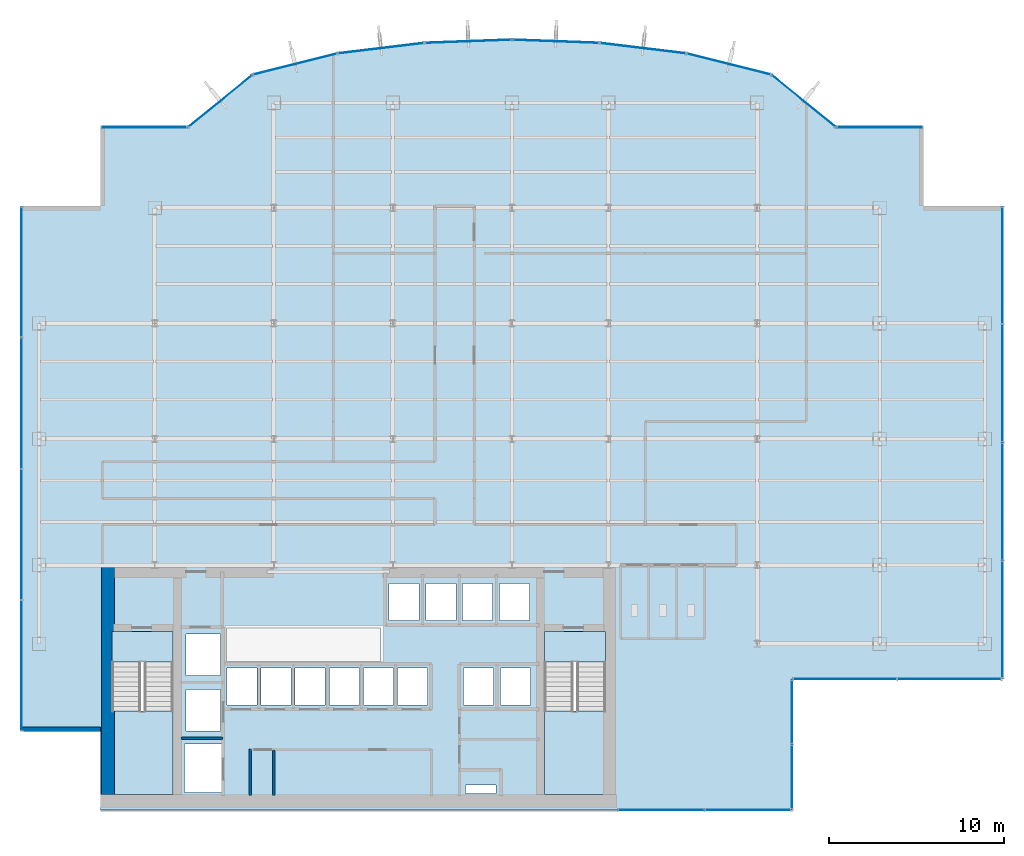
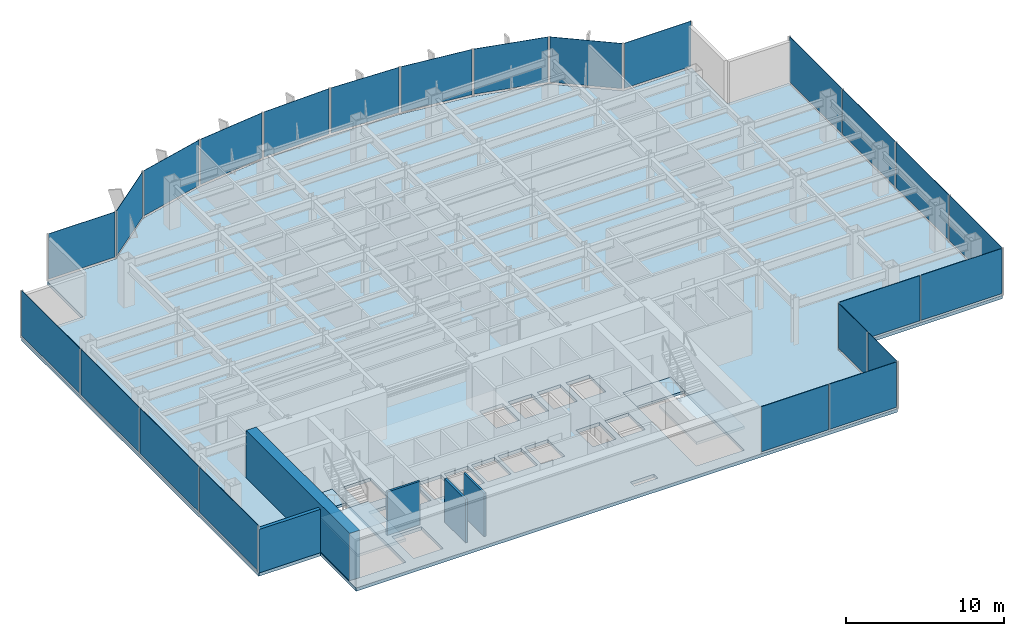
# One storey, part 20 of 26: 24 plates, 5 slabs, 5 walls, 17 elements without a shape of their own.
"""IFC4 building model written with IfcOpenShell, lengths in metres."""

from ifc_helpers import new_model, si_unit, derived_unit, direction, frame, frame_2d, origin, origin_2d, place, context, subcontext, project, spatial, polyline, rectangle, outline, extrude, source, transform, mapped, material, layer, layer_set, type_object, element, aggregate, save


model = new_model("IFC4")

# Units and contexts
model_context = context("Model", 3, precision=1e-05, world=origin(), true_north=direction((0.0, 1.0)))
body_context = subcontext(model_context, "Body", "Model", "MODEL_VIEW")
ifc_project = project(units=[si_unit("LENGTHUNIT", "METRE"), si_unit("AREAUNIT", "SQUARE_METRE"), si_unit("VOLUMEUNIT", "CUBIC_METRE"), si_unit("PLANEANGLEUNIT", "RADIAN"), si_unit("MASSUNIT", "GRAM", prefix="KILO"), derived_unit("THERMALTRANSMITTANCEUNIT", [(si_unit("POWERUNIT", "WATT"), 1), (si_unit("LENGTHUNIT", "METRE"), -2), (si_unit("THERMODYNAMICTEMPERATUREUNIT", "KELVIN"), -1)])], contexts=[model_context])

# Site, building, storey
site_placement = place(None, origin())
site = spatial("IfcSite", under=ifc_project, at=site_placement, CompositionType="ELEMENT")
building_placement = place(site_placement, origin())
building = spatial("IfcBuilding", under=site, at=building_placement, Name="Skarnbrae Concourse Arena and Tower", CompositionType="ELEMENT")
storey_placement = place(building_placement, frame((0.0, 0.0, 132.449951171875)))
storey = spatial("IfcBuildingStorey", under=building, at=storey_placement, Name="L33", CompositionType="ELEMENT", Elevation=132.449951171875)

# Stair, slab
ifc_material_1 = material(Name="Concrete 40 MPa (C40/50)", Category="concrete")
stair_type = type_object("IfcStairType", Name="STAIR-DOGLEG-1650", PredefinedType="HALF_TURN_STAIR", material=ifc_material_1)
stair_1_placement = place(storey_placement, origin())
stair_1 = element("IfcStair", 1, at=stair_1_placement, inside=storey, type_object=stair_type, Name="L33 Protected Exit Stair ST-1", PredefinedType="HALF_TURN_STAIR")
ifc_layer_1 = layer(ifc_material_1, 0.199951171875)
ifc_layer_set_1 = layer_set([ifc_layer_1], Name="Concrete 40 MPa (C40/50)")
slab_type_1 = type_object("IfcSlabType", Name="SLAB-LANDING-200", PredefinedType="LANDING", material=ifc_layer_set_1)
slab_1_placement = place(storey_placement, frame((0.0, 0.0, 1.625)))
slab_1 = element("IfcSlab", 2, at=slab_1_placement, type_object=slab_type_1, Name="ST-1 landing 1", PredefinedType="LANDING", context=body_context, shape_type="SweptSolid", body=[
    extrude(outline(polyline([(5.14990234375, 5.64990234375), (5.14990234375, 0.89990234375), (8.64990234375, 0.89990234375), (8.64990234375, 5.64990234375), (5.14990234375, 5.64990234375)])), origin(), (0.0, 0.0, 1.0), 0.199951171875),
])
aggregate(stair_1, [slab_1])

stair_2_placement = place(storey_placement, origin())
stair_2 = element("IfcStair", 3, at=stair_2_placement, inside=storey, type_object=stair_type, Name="L33 Protected Exit Stair ST-2", PredefinedType="HALF_TURN_STAIR")
slab_2_placement = place(storey_placement, frame((0.0, 0.0, 1.625)))
slab_2 = element("IfcSlab", 4, at=slab_2_placement, type_object=slab_type_1, Name="ST-2 landing 1", PredefinedType="LANDING", context=body_context, shape_type="SweptSolid", body=[
    extrude(outline(polyline([(29.85009765625, 5.64990234375), (29.85009765625, 0.89990234375), (33.35009765625, 0.89990234375), (33.35009765625, 5.64990234375), (29.85009765625, 5.64990234375)])), origin(), (0.0, 0.0, 1.0), 0.199951171875),
])
aggregate(stair_2, [slab_2])

# Slabs
slab_3_placement = place(storey_placement, frame((0.0, 0.0, -0.199951171875)))
element("IfcSlab", 5, at=slab_3_placement, inside=storey, type_object=slab_type_1, Name="L33 Core stair ST1 floor landing", PredefinedType="LANDING", context=body_context, shape_type="SweptSolid", body=[
    extrude(outline(polyline([(5.14990234375, 10.199951171875), (5.14990234375, 8.449951171875), (8.64990234375, 8.449951171875), (8.64990234375, 10.199951171875), (5.14990234375, 10.199951171875)])), origin(), (0.0, 0.0, 1.0), 0.199951171875),
])
slab_4_placement = place(storey_placement, frame((0.0, 0.0, -0.199951171875)))
element("IfcSlab", 6, at=slab_4_placement, inside=storey, type_object=slab_type_1, Name="L33 Core stair ST2 floor landing", PredefinedType="LANDING", context=body_context, shape_type="SweptSolid", body=[
    extrude(outline(polyline([(29.85009765625, 10.199951171875), (29.85009765625, 8.449951171875), (33.35009765625, 8.449951171875), (33.35009765625, 10.199951171875), (29.85009765625, 10.199951171875)])), origin(), (0.0, 0.0, 1.0), 0.199951171875),
])
ifc_layer_2 = layer(ifc_material_1, 0.25)
ifc_layer_set_2 = layer_set([ifc_layer_2], Name="Concrete 40 MPa (C40/50)")
slab_type_2 = type_object("IfcSlabType", Name="SLAB-TOWER-250", PredefinedType="FLOOR", material=ifc_layer_set_2)
slab_5_placement = place(storey_placement, frame((0.0, 0.0, -0.25)))
element("IfcSlab", 7, at=slab_5_placement, inside=storey, type_object=slab_type_2, Name="L33 Structural floor slab", PredefinedType="FLOOR", context=body_context, shape_type="SweptSolid", body=[
    extrude(outline(polyline([(4.5, 0.0), (44.0, 0.0), (44.0, 7.5), (56.0, 7.5), (56.0, 34.5), (51.5, 34.5), (51.5, 39.0), (46.5, 39.0), (42.81103515625, 41.99609375), (37.964111328125, 43.212890625), (32.998779296875, 43.81396484375), (28.0, 44.0), (23.001220703125, 43.81396484375), (18.035888671875, 43.212890625), (13.18896484375, 41.99609375), (9.5, 39.0), (4.5, 39.0), (4.5, 34.5), (0.0, 34.5), (0.0, 4.5), (4.5, 4.5), (4.5, 0.0)]), holes=[polyline([(9.294921875, 3.780029296875), (11.455078125, 3.780029296875), (11.455078125, 1.02001953125), (9.294921875, 1.02001953125), (9.294921875, 3.780029296875)]), polyline([(8.64990234375, 10.199951171875), (8.64990234375, 0.89990234375), (5.14990234375, 0.89990234375), (5.14990234375, 10.199951171875), (8.64990234375, 10.199951171875)]), polyline([(9.39501953125, 6.8798828125), (11.35498046875, 6.8798828125), (11.35498046875, 4.52001953125), (9.39501953125, 4.52001953125), (9.39501953125, 6.8798828125)]), polyline([(11.719970703125, 8.10498046875), (13.429931640625, 8.10498046875), (13.429931640625, 5.9951171875), (11.719970703125, 5.9951171875), (11.719970703125, 8.10498046875)]), polyline([(13.669921875, 8.10498046875), (15.3798828125, 8.10498046875), (15.3798828125, 5.9951171875), (13.669921875, 5.9951171875), (13.669921875, 8.10498046875)]), polyline([(15.6201171875, 8.10498046875), (17.330078125, 8.10498046875), (17.330078125, 5.9951171875), (15.6201171875, 5.9951171875), (15.6201171875, 8.10498046875)]), polyline([(17.570068359375, 8.10498046875), (19.280029296875, 8.10498046875), (19.280029296875, 5.9951171875), (17.570068359375, 5.9951171875), (17.570068359375, 8.10498046875)]), polyline([(21.22998046875, 8.10498046875), (21.22998046875, 5.9951171875), (19.52001953125, 5.9951171875), (19.52001953125, 8.10498046875), (21.22998046875, 8.10498046875)]), polyline([(11.35498046875, 10.054931640625), (11.35498046875, 7.695068359375), (9.39501953125, 7.695068359375), (9.39501953125, 10.054931640625), (11.35498046875, 10.054931640625)]), polyline([(25.35009765625, 1.449951171875), (27.080078125, 1.449951171875), (27.080078125, 0.949951171875), (25.35009765625, 0.949951171875), (25.35009765625, 1.449951171875)]), polyline([(33.35009765625, 10.199951171875), (33.35009765625, 0.89990234375), (29.85009765625, 0.89990234375), (29.85009765625, 10.199951171875), (33.35009765625, 10.199951171875)]), polyline([(21.469970703125, 8.10498046875), (23.179931640625, 8.10498046875), (23.179931640625, 5.9951171875), (21.469970703125, 5.9951171875), (21.469970703125, 8.10498046875)]), polyline([(25.235107421875, 8.10498046875), (26.945068359375, 8.10498046875), (26.945068359375, 5.9951171875), (25.235107421875, 5.9951171875), (25.235107421875, 8.10498046875)]), polyline([(27.3349609375, 8.10498046875), (29.044921875, 8.10498046875), (29.044921875, 5.9951171875), (27.3349609375, 5.9951171875), (27.3349609375, 8.10498046875)]), polyline([(20.985107421875, 12.955078125), (22.695068359375, 12.955078125), (22.695068359375, 10.844970703125), (20.985107421875, 10.844970703125), (20.985107421875, 12.955078125)]), polyline([(23.0849609375, 12.955078125), (24.794921875, 12.955078125), (24.794921875, 10.844970703125), (23.0849609375, 10.844970703125), (23.0849609375, 12.955078125)]), polyline([(26.89501953125, 12.955078125), (26.89501953125, 10.844970703125), (25.18505859375, 10.844970703125), (25.18505859375, 12.955078125), (26.89501953125, 12.955078125)]), polyline([(28.9951171875, 12.955078125), (28.9951171875, 10.844970703125), (27.284912109375, 10.844970703125), (27.284912109375, 12.955078125), (28.9951171875, 12.955078125)])]), origin(), (0.0, 0.0, 1.0), 0.25),
])

# Curtain wall, plates
ifc_material_2 = material(Name="Bronze anodised aluminium 6063-T6", Category="aluminium")
curtain_wall_type = type_object("IfcCurtainWallType", Name="CW-SYS-04-MIDZONE", PredefinedType="USERDEFINED", material=ifc_material_2)
curtain_wall_1_placement = place(storey_placement, origin())
curtain_wall_1 = element("IfcCurtainWall", 8, at=curtain_wall_1_placement, inside=storey, type_object=curtain_wall_type, Name="L33 Unitised curtain wall CW-L33-SE-SPINE", ObjectType="UNITISED CURTAIN WALL", PredefinedType="USERDEFINED")
ifc_material_3 = material(Name="Low-E triple insulating glass", Category="glass")
ifc_layer_3 = layer(ifc_material_3, 0.031982421875)
ifc_layer_set_3 = layer_set([ifc_layer_3], Name="Low-E triple insulating glass")
plate_type = type_object("IfcPlateType", Name="CWP-CW-04", PredefinedType="CURTAIN_PANEL", material=ifc_layer_set_3)
shared_shape_1 = source(origin(), body_context, "Body", "SweptSolid", [
    extrude(rectangle(XDim=4.887451171875, YDim=0.031982421875, at=origin_2d()), origin(), (0.0, 0.0, 1.0), 3.489990234375),
])
plate_1_placement = place(storey_placement, frame((36.518798828125, 0.0, 0.16015625), z_axis=(0.0, 0.0, 1.0), x_axis=(1.0, 0.0, 0.0)))
plate_1 = element("IfcPlate", 9, at=plate_1_placement, type_object=plate_type, Name="CW-L33-SE-SPINE Low-E Glazing Panel 1", PredefinedType="CURTAIN_PANEL", context=body_context, shape_type="MappedRepresentation", body=[
    mapped(shared_shape_1, transform((0.0, 0.0, 0.0))),
])
plate_2_placement = place(storey_placement, frame((41.481201171875, 0.0, 0.16015625), z_axis=(0.0, 0.0, 1.0), x_axis=(1.0, 0.0, 0.0)))
plate_2 = element("IfcPlate", 10, at=plate_2_placement, type_object=plate_type, Name="CW-L33-SE-SPINE Low-E Glazing Panel 2", PredefinedType="CURTAIN_PANEL", context=body_context, shape_type="MappedRepresentation", body=[
    mapped(shared_shape_1, transform((0.0, 0.0, 0.0))),
])
aggregate(curtain_wall_1, [plate_1, plate_2])

curtain_wall_2_placement = place(storey_placement, origin())
curtain_wall_2 = element("IfcCurtainWall", 11, at=curtain_wall_2_placement, inside=storey, type_object=curtain_wall_type, Name="L33 Unitised curtain wall CW-L33-E02", ObjectType="UNITISED CURTAIN WALL", PredefinedType="USERDEFINED")
shared_shape_2 = source(origin(), body_context, "Body", "SweptSolid", [
    extrude(rectangle(XDim=3.637451171875, YDim=0.031982421875, at=origin_2d()), origin(), (0.0, 0.0, 1.0), 3.489990234375),
])
plate_3_placement = place(storey_placement, frame((44.0, 1.893798828125, 0.16015625), z_axis=(0.0, 0.0, 1.0), x_axis=(0.0, 1.0, 0.0)))
plate_3 = element("IfcPlate", 12, at=plate_3_placement, type_object=plate_type, Name="CW-L33-E02 Low-E Glazing Panel 1", PredefinedType="CURTAIN_PANEL", context=body_context, shape_type="MappedRepresentation", body=[
    mapped(shared_shape_2, transform((0.0, 0.0, 0.0))),
])
plate_4_placement = place(storey_placement, frame((44.0, 5.606201171875, 0.16015625), z_axis=(0.0, 0.0, 1.0), x_axis=(0.0, 1.0, 0.0)))
plate_4 = element("IfcPlate", 13, at=plate_4_placement, type_object=plate_type, Name="CW-L33-E02 Low-E Glazing Panel 2", PredefinedType="CURTAIN_PANEL", context=body_context, shape_type="MappedRepresentation", body=[
    mapped(shared_shape_2, transform((0.0, 0.0, 0.0))),
])
aggregate(curtain_wall_2, [plate_3, plate_4])

curtain_wall_3_placement = place(storey_placement, origin())
curtain_wall_3 = element("IfcCurtainWall", 14, at=curtain_wall_3_placement, inside=storey, type_object=curtain_wall_type, Name="L33 Unitised curtain wall CW-L33-E03", ObjectType="UNITISED CURTAIN WALL", PredefinedType="USERDEFINED")
shared_shape_3 = source(origin(), body_context, "Body", "SweptSolid", [
    extrude(rectangle(XDim=5.887451171875, YDim=0.031982421875, at=origin_2d()), origin(), (0.0, 0.0, 1.0), 3.489990234375),
])
plate_5_placement = place(storey_placement, frame((47.018798828125, 7.5, 0.16015625), z_axis=(0.0, 0.0, 1.0), x_axis=(1.0, 0.0, 0.0)))
plate_5 = element("IfcPlate", 15, at=plate_5_placement, type_object=plate_type, Name="CW-L33-E03 Low-E Glazing Panel 1", PredefinedType="CURTAIN_PANEL", context=body_context, shape_type="MappedRepresentation", body=[
    mapped(shared_shape_3, transform((0.0, 0.0, 0.0))),
])
plate_6_placement = place(storey_placement, frame((52.981201171875, 7.5, 0.16015625), z_axis=(0.0, 0.0, 1.0), x_axis=(1.0, 0.0, 0.0)))
plate_6 = element("IfcPlate", 16, at=plate_6_placement, type_object=plate_type, Name="CW-L33-E03 Low-E Glazing Panel 2", PredefinedType="CURTAIN_PANEL", context=body_context, shape_type="MappedRepresentation", body=[
    mapped(shared_shape_3, transform((0.0, 0.0, 0.0))),
])
aggregate(curtain_wall_3, [plate_5, plate_6])

# Curtain wall, plate
curtain_wall_4_placement = place(storey_placement, origin())
curtain_wall_4 = element("IfcCurtainWall", 17, at=curtain_wall_4_placement, inside=storey, type_object=curtain_wall_type, Name="L33 Unitised curtain wall CW-L33-E07", ObjectType="UNITISED CURTAIN WALL", PredefinedType="USERDEFINED")
shared_shape_4 = source(origin(), body_context, "Body", "SweptSolid", [
    extrude(rectangle(XDim=4.85009765625, YDim=0.031982421875, at=origin_2d()), origin(), (0.0, 0.0, 1.0), 3.489990234375),
])
plate_7_placement = place(storey_placement, frame((49.0, 39.0, 0.16015625), z_axis=(0.0, 0.0, 1.0), x_axis=(-1.0, 0.0, 0.0)))
plate_7 = element("IfcPlate", 18, at=plate_7_placement, type_object=plate_type, Name="CW-L33-E07 Low-E Glazing Panel 1", PredefinedType="CURTAIN_PANEL", context=body_context, shape_type="MappedRepresentation", body=[
    mapped(shared_shape_4, transform((0.0, 0.0, 0.0))),
])
aggregate(curtain_wall_4, [plate_7])

curtain_wall_5_placement = place(storey_placement, origin())
curtain_wall_5 = element("IfcCurtainWall", 19, at=curtain_wall_5_placement, inside=storey, type_object=curtain_wall_type, Name="L33 Unitised curtain wall CW-L33-E16", ObjectType="UNITISED CURTAIN WALL", PredefinedType="USERDEFINED")
plate_8_placement = place(storey_placement, frame((7.0, 39.0, 0.16015625), z_axis=(0.0, 0.0, 1.0), x_axis=(-1.0, 0.0, 0.0)))
plate_8 = element("IfcPlate", 20, at=plate_8_placement, type_object=plate_type, Name="CW-L33-E16 Low-E Glazing Panel 1", PredefinedType="CURTAIN_PANEL", context=body_context, shape_type="MappedRepresentation", body=[
    mapped(shared_shape_4, transform((0.0, 0.0, 0.0))),
])
aggregate(curtain_wall_5, [plate_8])

curtain_wall_6_placement = place(storey_placement, origin())
curtain_wall_6 = element("IfcCurtainWall", 21, at=curtain_wall_6_placement, inside=storey, type_object=curtain_wall_type, Name="L33 Unitised curtain wall CW-L33-E08", ObjectType="UNITISED CURTAIN WALL", PredefinedType="USERDEFINED")
shared_shape_5 = source(origin(), body_context, "Body", "SweptSolid", [
    extrude(rectangle(XDim=4.602294921875, YDim=0.031982421875, at=origin_2d()), origin(), (0.0, 0.0, 1.0), 3.489990234375),
])
plate_9_placement = place(storey_placement, frame((44.655517578125, 40.498046875, 0.16015625), z_axis=(0.0, 0.0, 1.0), x_axis=(-0.776241200471, 0.630436038542, 0.0)))
plate_9 = element("IfcPlate", 22, at=plate_9_placement, type_object=plate_type, Name="CW-L33-E08 Low-E Glazing Panel 1", PredefinedType="CURTAIN_PANEL", context=body_context, shape_type="MappedRepresentation", body=[
    mapped(shared_shape_5, transform((0.0, 0.0, 0.0))),
])
aggregate(curtain_wall_6, [plate_9])

curtain_wall_7_placement = place(storey_placement, origin())
curtain_wall_7 = element("IfcCurtainWall", 23, at=curtain_wall_7_placement, inside=storey, type_object=curtain_wall_type, Name="L33 Unitised curtain wall CW-L33-E15", ObjectType="UNITISED CURTAIN WALL", PredefinedType="USERDEFINED")
plate_10_placement = place(storey_placement, frame((11.344482421875, 40.498046875, 0.16015625), z_axis=(0.0, 0.0, 1.0), x_axis=(-0.776241200471, -0.630436038542, 0.0)))
plate_10 = element("IfcPlate", 24, at=plate_10_placement, type_object=plate_type, Name="CW-L33-E15 Low-E Glazing Panel 1", PredefinedType="CURTAIN_PANEL", context=body_context, shape_type="MappedRepresentation", body=[
    mapped(shared_shape_5, transform((0.0, 0.0, 0.0))),
])
aggregate(curtain_wall_7, [plate_10])

curtain_wall_8_placement = place(storey_placement, origin())
curtain_wall_8 = element("IfcCurtainWall", 25, at=curtain_wall_8_placement, inside=storey, type_object=curtain_wall_type, Name="L33 Unitised curtain wall CW-L33-E09", ObjectType="UNITISED CURTAIN WALL", PredefinedType="USERDEFINED")
shared_shape_6 = source(origin(), body_context, "Body", "SweptSolid", [
    extrude(rectangle(XDim=4.847412109375, YDim=0.031982421875, at=origin_2d()), origin(), (0.0, 0.0, 1.0), 3.489990234375),
])
plate_11_placement = place(storey_placement, frame((40.3876953125, 42.6044921875, 0.16015625), z_axis=(0.0, 0.0, 1.0), x_axis=(-0.969903046166, 0.243491439351, 0.0)))
plate_11 = element("IfcPlate", 26, at=plate_11_placement, type_object=plate_type, Name="CW-L33-E09 Low-E Glazing Panel 1", PredefinedType="CURTAIN_PANEL", context=body_context, shape_type="MappedRepresentation", body=[
    mapped(shared_shape_6, transform((0.0, 0.0, 0.0))),
])
aggregate(curtain_wall_8, [plate_11])

curtain_wall_9_placement = place(storey_placement, origin())
curtain_wall_9 = element("IfcCurtainWall", 27, at=curtain_wall_9_placement, inside=storey, type_object=curtain_wall_type, Name="L33 Unitised curtain wall CW-L33-E14", ObjectType="UNITISED CURTAIN WALL", PredefinedType="USERDEFINED")
plate_12_placement = place(storey_placement, frame((15.6123046875, 42.6044921875, 0.16015625), z_axis=(0.0, 0.0, 1.0), x_axis=(-0.969903046166, -0.243491439351, 0.0)))
plate_12 = element("IfcPlate", 28, at=plate_12_placement, type_object=plate_type, Name="CW-L33-E14 Low-E Glazing Panel 1", PredefinedType="CURTAIN_PANEL", context=body_context, shape_type="MappedRepresentation", body=[
    mapped(shared_shape_6, transform((0.0, 0.0, 0.0))),
])
aggregate(curtain_wall_9, [plate_12])

curtain_wall_10_placement = place(storey_placement, origin())
curtain_wall_10 = element("IfcCurtainWall", 29, at=curtain_wall_10_placement, inside=storey, type_object=curtain_wall_type, Name="L33 Unitised curtain wall CW-L33-E10", ObjectType="UNITISED CURTAIN WALL", PredefinedType="USERDEFINED")
shared_shape_7 = source(origin(), body_context, "Body", "SweptSolid", [
    extrude(rectangle(XDim=4.8515625, YDim=0.031982421875, at=origin_2d()), origin(), (0.0, 0.0, 1.0), 3.489990234375),
])
plate_13_placement = place(storey_placement, frame((35.4814453125, 43.513427734375, 0.16015625), z_axis=(0.0, 0.0, 1.0), x_axis=(-0.992749371969, 0.120202680731, 0.0)))
plate_13 = element("IfcPlate", 30, at=plate_13_placement, type_object=plate_type, Name="CW-L33-E10 Low-E Glazing Panel 1", PredefinedType="CURTAIN_PANEL", context=body_context, shape_type="MappedRepresentation", body=[
    mapped(shared_shape_7, transform((0.0, 0.0, 0.0))),
])
aggregate(curtain_wall_10, [plate_13])

curtain_wall_11_placement = place(storey_placement, origin())
curtain_wall_11 = element("IfcCurtainWall", 31, at=curtain_wall_11_placement, inside=storey, type_object=curtain_wall_type, Name="L33 Unitised curtain wall CW-L33-E13", ObjectType="UNITISED CURTAIN WALL", PredefinedType="USERDEFINED")
plate_14_placement = place(storey_placement, frame((20.5185546875, 43.513427734375, 0.16015625), z_axis=(0.0, 0.0, 1.0), x_axis=(-0.992749371969, -0.120202680731, 0.0)))
plate_14 = element("IfcPlate", 32, at=plate_14_placement, type_object=plate_type, Name="CW-L33-E13 Low-E Glazing Panel 1", PredefinedType="CURTAIN_PANEL", context=body_context, shape_type="MappedRepresentation", body=[
    mapped(shared_shape_7, transform((0.0, 0.0, 0.0))),
])
aggregate(curtain_wall_11, [plate_14])

curtain_wall_12_placement = place(storey_placement, origin())
curtain_wall_12 = element("IfcCurtainWall", 33, at=curtain_wall_12_placement, inside=storey, type_object=curtain_wall_type, Name="L33 Unitised curtain wall CW-L33-E11", ObjectType="UNITISED CURTAIN WALL", PredefinedType="USERDEFINED")
shared_shape_8 = source(origin(), body_context, "Body", "SweptSolid", [
    extrude(rectangle(XDim=4.852294921875, YDim=0.031982421875, at=origin_2d()), origin(), (0.0, 0.0, 1.0), 3.489990234375),
])
plate_15_placement = place(storey_placement, frame((30.49951171875, 43.906982421875, 0.16015625), z_axis=(0.0, 0.0, 1.0), x_axis=(-0.999308486252, 0.037182647889, 0.0)))
plate_15 = element("IfcPlate", 34, at=plate_15_placement, type_object=plate_type, Name="CW-L33-E11 Low-E Glazing Panel 1", PredefinedType="CURTAIN_PANEL", context=body_context, shape_type="MappedRepresentation", body=[
    mapped(shared_shape_8, transform((0.0, 0.0, 0.0))),
])
aggregate(curtain_wall_12, [plate_15])

curtain_wall_13_placement = place(storey_placement, origin())
curtain_wall_13 = element("IfcCurtainWall", 35, at=curtain_wall_13_placement, inside=storey, type_object=curtain_wall_type, Name="L33 Unitised curtain wall CW-L33-E12", ObjectType="UNITISED CURTAIN WALL", PredefinedType="USERDEFINED")
plate_16_placement = place(storey_placement, frame((25.50048828125, 43.906982421875, 0.16015625), z_axis=(0.0, 0.0, 1.0), x_axis=(-0.999308486252, -0.037182647889, 0.0)))
plate_16 = element("IfcPlate", 36, at=plate_16_placement, type_object=plate_type, Name="CW-L33-E12 Low-E Glazing Panel 1", PredefinedType="CURTAIN_PANEL", context=body_context, shape_type="MappedRepresentation", body=[
    mapped(shared_shape_8, transform((0.0, 0.0, 0.0))),
])
aggregate(curtain_wall_13, [plate_16])

# Curtain wall, plates
curtain_wall_14_placement = place(storey_placement, origin())
curtain_wall_14 = element("IfcCurtainWall", 37, at=curtain_wall_14_placement, inside=storey, type_object=curtain_wall_type, Name="L33 Unitised curtain wall CW-L33-E19", ObjectType="UNITISED CURTAIN WALL", PredefinedType="USERDEFINED")
shared_shape_9 = source(origin(), body_context, "Body", "SweptSolid", [
    extrude(rectangle(XDim=7.387451171875, YDim=0.031982421875, at=origin_2d()), origin(), (0.0, 0.0, 1.0), 3.489990234375),
])
plate_17_placement = place(storey_placement, frame((0.0, 30.731201171875, 0.16015625), z_axis=(0.0, 0.0, 1.0), x_axis=(0.0, -1.0, 0.0)))
plate_17 = element("IfcPlate", 38, at=plate_17_placement, type_object=plate_type, Name="CW-L33-E19 Low-E Glazing Panel 1", PredefinedType="CURTAIN_PANEL", context=body_context, shape_type="MappedRepresentation", body=[
    mapped(shared_shape_9, transform((0.0, 0.0, 0.0))),
])
plate_18_placement = place(storey_placement, frame((0.0, 8.268798828125, 0.16015625), z_axis=(0.0, 0.0, 1.0), x_axis=(0.0, -1.0, 0.0)))
plate_18 = element("IfcPlate", 39, at=plate_18_placement, type_object=plate_type, Name="CW-L33-E19 Low-E Glazing Panel 4", PredefinedType="CURTAIN_PANEL", context=body_context, shape_type="MappedRepresentation", body=[
    mapped(shared_shape_9, transform((0.0, 0.0, 0.0))),
])
shared_shape_10 = source(origin(), body_context, "Body", "SweptSolid", [
    extrude(rectangle(XDim=7.425048828125, YDim=0.031982421875, at=origin_2d()), origin(), (0.0, 0.0, 1.0), 3.489990234375),
])
plate_19_placement = place(storey_placement, frame((0.0, 23.25, 0.16015625), z_axis=(0.0, 0.0, 1.0), x_axis=(0.0, -1.0, 0.0)))
plate_19 = element("IfcPlate", 40, at=plate_19_placement, type_object=plate_type, Name="CW-L33-E19 Low-E Glazing Panel 2", PredefinedType="CURTAIN_PANEL", context=body_context, shape_type="MappedRepresentation", body=[
    mapped(shared_shape_10, transform((0.0, 0.0, 0.0))),
])
plate_20_placement = place(storey_placement, frame((0.0, 15.75, 0.16015625), z_axis=(0.0, 0.0, 1.0), x_axis=(0.0, -1.0, 0.0)))
plate_20 = element("IfcPlate", 41, at=plate_20_placement, type_object=plate_type, Name="CW-L33-E19 Low-E Glazing Panel 3", PredefinedType="CURTAIN_PANEL", context=body_context, shape_type="MappedRepresentation", body=[
    mapped(shared_shape_10, transform((0.0, 0.0, 0.0))),
])
aggregate(curtain_wall_14, [plate_17, plate_19, plate_20, plate_18])

curtain_wall_15_placement = place(storey_placement, origin())
curtain_wall_15 = element("IfcCurtainWall", 42, at=curtain_wall_15_placement, inside=storey, type_object=curtain_wall_type, Name="L33 Unitised curtain wall CW-L33-E04", ObjectType="UNITISED CURTAIN WALL", PredefinedType="USERDEFINED")
shared_shape_11 = source(origin(), body_context, "Body", "SweptSolid", [
    extrude(rectangle(XDim=6.637451171875, YDim=0.031982421875, at=origin_2d()), origin(), (0.0, 0.0, 1.0), 3.489990234375),
])
plate_21_placement = place(storey_placement, frame((56.0, 10.893798828125, 0.16015625), z_axis=(0.0, 0.0, 1.0), x_axis=(0.0, 1.0, 0.0)))
plate_21 = element("IfcPlate", 43, at=plate_21_placement, type_object=plate_type, Name="CW-L33-E04 Low-E Glazing Panel 1", PredefinedType="CURTAIN_PANEL", context=body_context, shape_type="MappedRepresentation", body=[
    mapped(shared_shape_11, transform((0.0, 0.0, 0.0))),
])
plate_22_placement = place(storey_placement, frame((56.0, 31.106201171875, 0.16015625), z_axis=(0.0, 0.0, 1.0), x_axis=(0.0, 1.0, 0.0)))
plate_22 = element("IfcPlate", 44, at=plate_22_placement, type_object=plate_type, Name="CW-L33-E04 Low-E Glazing Panel 4", PredefinedType="CURTAIN_PANEL", context=body_context, shape_type="MappedRepresentation", body=[
    mapped(shared_shape_11, transform((0.0, 0.0, 0.0))),
])
shared_shape_12 = source(origin(), body_context, "Body", "SweptSolid", [
    extrude(rectangle(XDim=6.675048828125, YDim=0.031982421875, at=origin_2d()), origin(), (0.0, 0.0, 1.0), 3.489990234375),
])
plate_23_placement = place(storey_placement, frame((56.0, 17.625, 0.16015625), z_axis=(0.0, 0.0, 1.0), x_axis=(0.0, 1.0, 0.0)))
plate_23 = element("IfcPlate", 45, at=plate_23_placement, type_object=plate_type, Name="CW-L33-E04 Low-E Glazing Panel 2", PredefinedType="CURTAIN_PANEL", context=body_context, shape_type="MappedRepresentation", body=[
    mapped(shared_shape_12, transform((0.0, 0.0, 0.0))),
])
plate_24_placement = place(storey_placement, frame((56.0, 24.375, 0.16015625), z_axis=(0.0, 0.0, 1.0), x_axis=(0.0, 1.0, 0.0)))
plate_24 = element("IfcPlate", 46, at=plate_24_placement, type_object=plate_type, Name="CW-L33-E04 Low-E Glazing Panel 3", PredefinedType="CURTAIN_PANEL", context=body_context, shape_type="MappedRepresentation", body=[
    mapped(shared_shape_12, transform((0.0, 0.0, 0.0))),
])
aggregate(curtain_wall_15, [plate_21, plate_23, plate_24, plate_22])

# Walls
ifc_material_4 = material(Name="Concrete 60 MPa (C60/75)", Category="concrete")
ifc_layer_4 = layer(ifc_material_4, 0.75)
ifc_layer_set_4 = layer_set([ifc_layer_4], Name="Concrete 60 MPa (C60/75)")
wall_type_1 = type_object("IfcWallType", Name="WALL-CORE-750-C60", PredefinedType="SHEAR", material=ifc_layer_set_4)
shared_shape_13 = source(origin(), body_context, "Body", "SweptSolid", [
    extrude(rectangle(XDim=13.10009765625, YDim=0.75, at=frame_2d((6.550048828125, 0.0))), origin(), (0.0, 0.0, 1.0), 3.650146484375),
])
wall_1_placement = place(storey_placement, frame((4.925048828125, 0.89990234375, 0.0), z_axis=(0.0, 0.0, 1.0), x_axis=(0.0, 1.0, 0.0)))
element("IfcWall", 47, at=wall_1_placement, inside=storey, type_object=wall_type_1, Name="L33 Rear core shear wall CW-W", PredefinedType="SHEAR", context=body_context, shape_type="MappedRepresentation", body=[
    mapped(shared_shape_13, transform((0.0, 0.0, 0.0))),
])
ifc_material_5 = material(Name="Precast concrete 40 MPa (C40/50)", Category="concrete")
ifc_layer_5 = layer(ifc_material_5, 0.25)
ifc_layer_set_5 = layer_set([ifc_layer_5], Name="Precast concrete 40 MPa (C40/50)")
wall_type_2 = type_object("IfcWallType", Name="WALL-EXT-SPANDREL-250", PredefinedType="STANDARD", material=ifc_layer_set_5)
shared_shape_14 = source(origin(), body_context, "Body", "SweptSolid", [
    extrude(rectangle(XDim=4.5, YDim=0.25, at=frame_2d((2.25, 0.0))), origin(), (0.0, 0.0, 1.0), 3.35009765625),
])
wall_2_placement = place(storey_placement, frame((0.0, 4.625, 0.0), z_axis=(0.0, 0.0, 1.0), x_axis=(1.0, 0.0, 0.0)))
element("IfcWall", 48, at=wall_2_placement, inside=storey, type_object=wall_type_2, Name="L33 Notched corner insulated return wall 20", PredefinedType="STANDARD", context=body_context, shape_type="MappedRepresentation", body=[
    mapped(shared_shape_14, transform((0.0, 0.0, 0.0))),
])
ifc_material_6 = material(Name="Gypsum board on cold-formed steel studs", Category="steel")
ifc_layer_6 = layer(ifc_material_6, 0.14990234375)
ifc_layer_set_6 = layer_set([ifc_layer_6], Name="Gypsum board on cold-formed steel studs")
wall_type_3 = type_object("IfcWallType", Name="WALL-PART-150", PredefinedType="PARTITIONING", material=ifc_layer_set_6)
shared_shape_15 = source(origin(), body_context, "Body", "SweptSolid", [
    extrude(rectangle(XDim=2.39990234375, YDim=0.14990234375, at=frame_2d((1.199951171875, 0.0))), origin(), (0.0, 0.0, 1.0), 3.35009765625),
])
wall_3_placement = place(storey_placement, frame((9.10009765625, 4.10009765625, 0.0), z_axis=(0.0, 0.0, 1.0), x_axis=(1.0, 0.0, 0.0)))
element("IfcWall", 49, at=wall_3_placement, inside=storey, type_object=wall_type_3, Name="L33 Interior partition wall W-L33-FL-D1", PredefinedType="PARTITIONING", context=body_context, shape_type="MappedRepresentation", body=[
    mapped(shared_shape_15, transform((0.0, 0.0, 0.0))),
])
ifc_layer_7 = layer(ifc_material_6, 0.14990234375)
ifc_layer_set_7 = layer_set([ifc_layer_7], Name="Gypsum board on cold-formed steel studs")
wall_type_4 = type_object("IfcWallType", Name="WALL-PART-150-1HR", PredefinedType="PARTITIONING", material=ifc_layer_set_7)
shared_shape_16 = source(origin(), body_context, "Body", "SweptSolid", [
    extrude(rectangle(XDim=2.64990234375, YDim=0.14990234375, at=frame_2d((1.324951171875, 0.0))), origin(), (0.0, 0.0, 1.0), 3.35009765625),
])
wall_4_placement = place(storey_placement, frame((13.050048828125, 0.85009765625, 0.0), z_axis=(0.0, 0.0, 1.0), x_axis=(0.0, 1.0, 0.0)))
element("IfcWall", 50, at=wall_4_placement, inside=storey, type_object=wall_type_4, Name="L33 Interior partition wall W-L33-B1M-W", PredefinedType="PARTITIONING", context=body_context, shape_type="MappedRepresentation", body=[
    mapped(shared_shape_16, transform((0.0, 0.0, 0.0))),
])
shared_shape_17 = source(origin(), body_context, "Body", "SweptSolid", [
    extrude(rectangle(XDim=2.599853515625, YDim=0.14990234375, at=frame_2d((1.2998046875, 0.0))), origin(), (0.0, 0.0, 1.0), 3.35009765625),
])
wall_5_placement = place(storey_placement, frame((14.39990234375, 0.85009765625, 0.0), z_axis=(0.0, 0.0, 1.0), x_axis=(0.0, 1.0, 0.0)))
element("IfcWall", 51, at=wall_5_placement, inside=storey, type_object=wall_type_3, Name="L33 Interior partition wall W-L33-B1M-C1", PredefinedType="PARTITIONING", context=body_context, shape_type="MappedRepresentation", body=[
    mapped(shared_shape_17, transform((0.0, 0.0, 0.0))),
])

save(model, "model.ifc")
